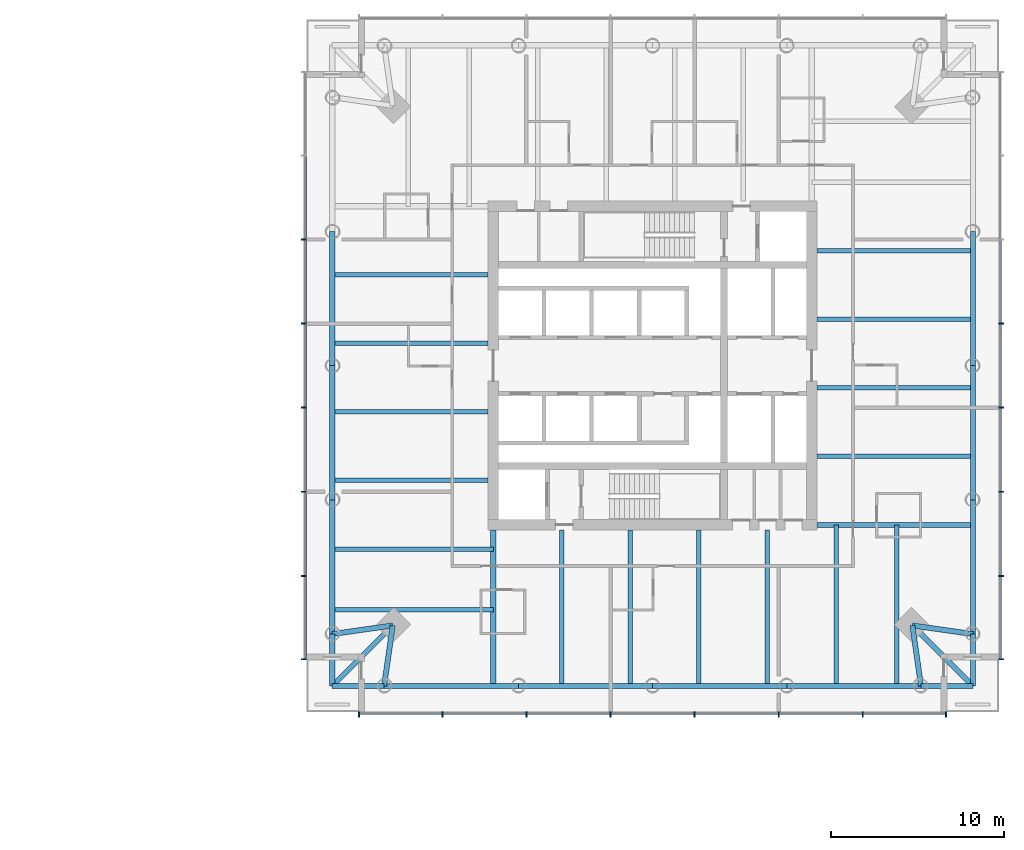
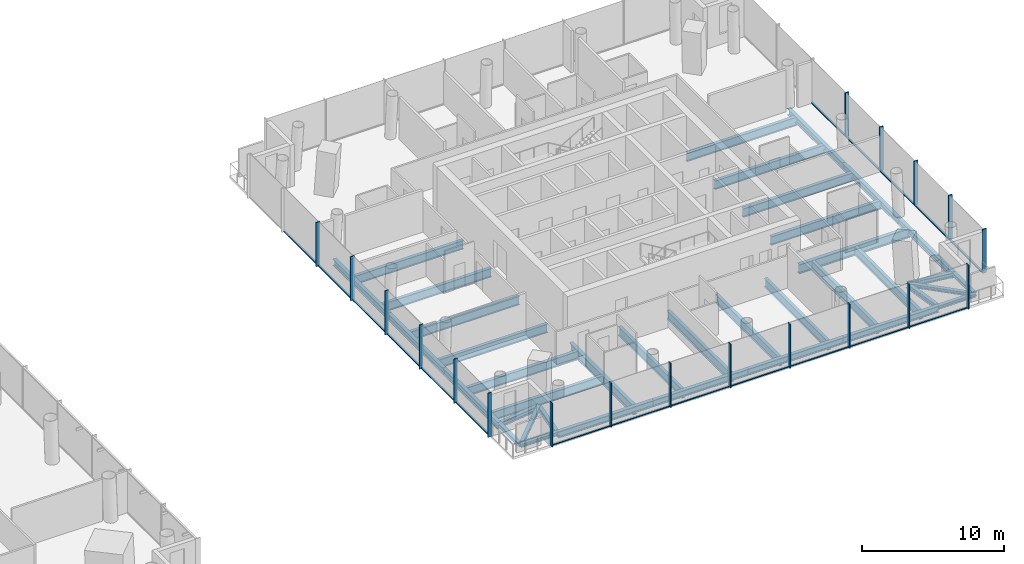
# One storey, part 6 of 21: 38 beams, 37 members, 3 elements without a shape of their own.
"""IFC4 building model written with IfcOpenShell, lengths in metres."""

from ifc_helpers import new_model, si_unit, direction, frame, origin, origin_2d, place, context, subcontext, project, spatial, rectangle, i_section, extrude, material, material_profile, profile_set, type_object, element, aggregate, save


model = new_model("IFC4")

# Units and contexts
model_context = context("Model", 3, precision=1e-05, world=origin(), true_north=direction((0.0, 1.0)))
body_context = subcontext(model_context, "Body", "Model", "MODEL_VIEW")
ifc_project = project(units=[si_unit("LENGTHUNIT", "METRE"), si_unit("AREAUNIT", "SQUARE_METRE"), si_unit("VOLUMEUNIT", "CUBIC_METRE"), si_unit("PLANEANGLEUNIT", "RADIAN"), si_unit("MASSUNIT", "GRAM", prefix="KILO")], contexts=[model_context])

# Site, building, storey
site_placement = place(None, origin())
site = spatial("IfcSite", under=ifc_project, at=site_placement, CompositionType="ELEMENT")
building_placement = place(site_placement, origin())
building = spatial("IfcBuilding", under=site, at=building_placement, Name="Ostroluk Exchange", CompositionType="ELEMENT")
storey_placement = place(building_placement, frame((0.0, 0.0, 32.39990234375)))
storey = spatial("IfcBuildingStorey", under=building, at=storey_placement, Name="L07", CompositionType="ELEMENT", Elevation=32.39990234375)

# Beams
ifc_material_1 = material(Name="Steel S355", Category="steel")
ifc_material_profile_1 = material_profile(ifc_material_1, i_section(OverallWidth=0.300048828125, OverallDepth=0.300048828125, WebThickness=0.010986328125, FlangeThickness=0.01904296875, FilletRadius=0.027099609375, at=origin_2d()), Name="HEB 300")
ifc_profile_set_1 = profile_set([ifc_material_profile_1], Name="Steel S355")
beam_type_1 = type_object("IfcBeamType", Name="Balcony beam HEB 300", PredefinedType="BEAM", material=ifc_profile_set_1)
for number, where, z_axis, x_axis, name in (
    (1, (98.491455078125, 30.491455078125, -0.349853515625), (0.0, -1.0, 0.0), (1.0, 0.0, 0.0), "T2 west balcony beam a"),
    (2, (101.491455078125, 27.491455078125, -0.349853515625), (-1.0, 0.0, 0.0), (0.0, -1.0, 0.0), "T2 west balcony beam b"),
):
    element("IfcBeam", number, at=place(storey_placement, frame(where, z_axis=z_axis, x_axis=x_axis)), inside=storey, type_object=beam_type_1, Name=name, PredefinedType="BEAM", context=body_context, shape_type="SweptSolid", body=[
        extrude(i_section(OverallWidth=0.300048828125, OverallDepth=0.300048828125, WebThickness=0.010986328125, FlangeThickness=0.01904296875, FilletRadius=0.027099609375, at=origin_2d()), origin(), (0.0, 0.0, 1.0), 3.0),
    ])
beam_1_placement = place(storey_placement, frame((101.991455078125, 30.991455078125, -0.349853515625), z_axis=(-0.707106781187, -0.707106781187, 0.0), x_axis=(0.707106781187, -0.707106781187, 0.0)))
element("IfcBeam", 3, at=beam_1_placement, inside=storey, type_object=beam_type_1, Name="T2 west balcony beam c", PredefinedType="BEAM", context=body_context, shape_type="SweptSolid", body=[
    extrude(i_section(OverallWidth=0.300048828125, OverallDepth=0.300048828125, WebThickness=0.010986328125, FlangeThickness=0.01904296875, FilletRadius=0.027099609375, at=origin_2d()), origin(), (0.0, 0.0, 1.0), 4.94970703125),
])
for number, where, z_axis, x_axis, name in (
    (4, (132.508544921875, 27.491455078125, -0.349853515625), (1.0, 0.0, 0.0), (0.0, 1.0, 0.0), "T2 south balcony beam a"),
    (5, (135.508544921875, 30.491455078125, -0.349853515625), (0.0, -1.0, 0.0), (1.0, 0.0, 0.0), "T2 south balcony beam b"),
):
    element("IfcBeam", number, at=place(storey_placement, frame(where, z_axis=z_axis, x_axis=x_axis)), inside=storey, type_object=beam_type_1, Name=name, PredefinedType="BEAM", context=body_context, shape_type="SweptSolid", body=[
        extrude(i_section(OverallWidth=0.300048828125, OverallDepth=0.300048828125, WebThickness=0.010986328125, FlangeThickness=0.01904296875, FilletRadius=0.027099609375, at=origin_2d()), origin(), (0.0, 0.0, 1.0), 3.0),
    ])
beam_2_placement = place(storey_placement, frame((132.008544921875, 30.991455078125, -0.349853515625), z_axis=(0.707106781187, -0.707106781187, 0.0), x_axis=(0.707106781187, 0.707106781187, 0.0)))
element("IfcBeam", 6, at=beam_2_placement, inside=storey, type_object=beam_type_1, Name="T2 south balcony beam c", PredefinedType="BEAM", context=body_context, shape_type="SweptSolid", body=[
    extrude(i_section(OverallWidth=0.300048828125, OverallDepth=0.300048828125, WebThickness=0.010986328125, FlangeThickness=0.01904296875, FilletRadius=0.027099609375, at=origin_2d()), origin(), (0.0, 0.0, 1.0), 4.94970703125),
])
ifc_material_2 = material(Name="Steel S355", Category="steel")
ifc_material_profile_2 = material_profile(ifc_material_2, i_section(OverallWidth=0.300048828125, OverallDepth=0.39990234375, WebThickness=0.013427734375, FlangeThickness=0.02392578125, FilletRadius=0.027099609375, at=origin_2d()), Name="HEB 400")
ifc_profile_set_2 = profile_set([ifc_material_profile_2], Name="Steel S355")
beam_type_2 = type_object("IfcBeamType", Name="Corner edge beam HEB 400", PredefinedType="SPANDREL", material=ifc_profile_set_2)
for number, where, z_axis, x_axis, name in (
    (7, (101.991455078125, 30.991455078125, -0.39990234375), (-0.989949493661, -0.141421356237, 0.0), (0.141421356237, -0.989949493661, 0.0), "T2 west corner edge beam a"),
    (8, (101.991455078125, 30.991455078125, -0.39990234375), (-0.141421356237, -0.989949493661, 0.0), (0.989949493661, -0.141421356237, 0.0), "T2 west corner edge beam b"),
    (9, (132.008544921875, 30.991455078125, -0.39990234375), (0.141421356237, -0.989949493661, 0.0), (0.989949493661, 0.141421356237, 0.0), "T2 south corner edge beam a"),
    (10, (132.008544921875, 30.991455078125, -0.39990234375), (0.989949493661, -0.141421356237, 0.0), (0.141421356237, 0.989949493661, 0.0), "T2 south corner edge beam b"),
):
    element("IfcBeam", number, at=place(storey_placement, frame(where, z_axis=z_axis, x_axis=x_axis)), inside=storey, type_object=beam_type_2, Name=name, PredefinedType="SPANDREL", context=body_context, shape_type="SweptSolid", body=[
        extrude(i_section(OverallWidth=0.300048828125, OverallDepth=0.39990234375, WebThickness=0.013427734375, FlangeThickness=0.02392578125, FilletRadius=0.027099609375, at=origin_2d()), origin(), (0.0, 0.0, 1.0), 3.53564453125),
    ])
ifc_material_3 = material(Name="Steel S355", Category="steel")
ifc_material_profile_3 = material_profile(ifc_material_3, i_section(OverallWidth=0.264892578125, OverallDepth=0.7529296875, WebThickness=0.01318359375, FlangeThickness=0.01708984375, FilletRadius=0.01708984375, at=origin_2d()), Name="IPE 750x147")
ifc_profile_set_3 = profile_set([ifc_material_profile_3], Name="Steel S355")
beam_type_3 = type_object("IfcBeamType", Name="Floor beam IPE 750x147", PredefinedType="BEAM", material=ifc_profile_set_3)
for number, where, z_axis, x_axis, name in (
    (11, (126.5, 40.75830078125, -0.576416015625), (1.0, 0.0, 0.0), (0.0, 1.0, 0.0), "T2 east floor beam 1"),
    (12, (126.5, 44.716796875, -0.576416015625), (1.0, 0.0, 0.0), (0.0, 1.0, 0.0), "T2 east floor beam 2"),
    (13, (126.5, 48.675048828125, -0.576416015625), (1.0, 0.0, 0.0), (0.0, 1.0, 0.0), "T2 east floor beam 3"),
    (14, (126.5, 52.633544921875, -0.576416015625), (1.0, 0.0, 0.0), (0.0, 1.0, 0.0), "T2 east floor beam 4"),
    (15, (107.5, 51.24169921875, -0.576416015625), (-1.0, 0.0, 0.0), (0.0, -1.0, 0.0), "T2 west floor beam 1"),
    (16, (107.5, 47.283203125, -0.576416015625), (-1.0, 0.0, 0.0), (0.0, -1.0, 0.0), "T2 west floor beam 2"),
    (17, (107.5, 43.324951171875, -0.576416015625), (-1.0, 0.0, 0.0), (0.0, -1.0, 0.0), "T2 west floor beam 3"),
    (18, (107.5, 39.366455078125, -0.576416015625), (-1.0, 0.0, 0.0), (0.0, -1.0, 0.0), "T2 west floor beam 4"),
):
    element("IfcBeam", number, at=place(storey_placement, frame(where, z_axis=z_axis, x_axis=x_axis)), inside=storey, type_object=beam_type_3, Name=name, PredefinedType="BEAM", context=body_context, shape_type="SweptSolid", body=[
        extrude(i_section(OverallWidth=0.264892578125, OverallDepth=0.7529296875, WebThickness=0.01318359375, FlangeThickness=0.01708984375, FilletRadius=0.01708984375, at=origin_2d()), origin(), (0.0, 0.0, 1.0), 9.008544921875),
    ])
for number, where, z_axis, x_axis, name in (
    (19, (107.800048828125, 35.39990234375, -0.576416015625), (-1.0, 0.0, 0.0), (0.0, -1.0, 0.0), "T2 west floor beam 5"),
    (20, (107.800048828125, 31.891357421875, -0.576416015625), (-1.0, 0.0, 0.0), (0.0, -1.0, 0.0), "T2 west floor beam 6"),
):
    element("IfcBeam", number, at=place(storey_placement, frame(where, z_axis=z_axis, x_axis=x_axis)), inside=storey, type_object=beam_type_3, Name=name, PredefinedType="BEAM", context=body_context, shape_type="SweptSolid", body=[
        extrude(i_section(OverallWidth=0.264892578125, OverallDepth=0.7529296875, WebThickness=0.01318359375, FlangeThickness=0.01708984375, FilletRadius=0.01708984375, at=origin_2d()), origin(), (0.0, 0.0, 1.0), 9.30859375),
    ])
for number, where, z_axis, x_axis, name in (
    (21, (111.75830078125, 36.5, -0.576416015625), (0.0, -1.0, 0.0), (1.0, 0.0, 0.0), "T2 south floor beam 1"),
    (22, (115.716796875, 36.5, -0.576416015625), (0.0, -1.0, 0.0), (1.0, 0.0, 0.0), "T2 south floor beam 2"),
    (23, (119.675048828125, 36.5, -0.576416015625), (0.0, -1.0, 0.0), (1.0, 0.0, 0.0), "T2 south floor beam 3"),
    (24, (123.633544921875, 36.5, -0.576416015625), (0.0, -1.0, 0.0), (1.0, 0.0, 0.0), "T2 south floor beam 4"),
):
    element("IfcBeam", number, at=place(storey_placement, frame(where, z_axis=z_axis, x_axis=x_axis)), inside=storey, type_object=beam_type_3, Name=name, PredefinedType="BEAM", context=body_context, shape_type="SweptSolid", body=[
        extrude(i_section(OverallWidth=0.264892578125, OverallDepth=0.7529296875, WebThickness=0.01318359375, FlangeThickness=0.01708984375, FilletRadius=0.01708984375, at=origin_2d()), origin(), (0.0, 0.0, 1.0), 9.008544921875),
    ])
for number, where, z_axis, x_axis, name in (
    (25, (127.60009765625, 36.800048828125, -0.576416015625), (0.0, -1.0, 0.0), (1.0, 0.0, 0.0), "T2 south floor beam 5"),
    (26, (131.108642578125, 36.800048828125, -0.576416015625), (0.0, -1.0, 0.0), (1.0, 0.0, 0.0), "T2 south floor beam 6"),
):
    element("IfcBeam", number, at=place(storey_placement, frame(where, z_axis=z_axis, x_axis=x_axis)), inside=storey, type_object=beam_type_3, Name=name, PredefinedType="BEAM", context=body_context, shape_type="SweptSolid", body=[
        extrude(i_section(OverallWidth=0.264892578125, OverallDepth=0.7529296875, WebThickness=0.01318359375, FlangeThickness=0.01708984375, FilletRadius=0.01708984375, at=origin_2d()), origin(), (0.0, 0.0, 1.0), 9.30859375),
    ])
ifc_material_4 = material(Name="Steel S355", Category="steel")
ifc_material_profile_4 = material_profile(ifc_material_4, i_section(OverallWidth=0.300048828125, OverallDepth=0.800048828125, WebThickness=0.017578125, FlangeThickness=0.032958984375, FilletRadius=0.030029296875, at=origin_2d()), Name="HEB 800")
ifc_profile_set_4 = profile_set([ifc_material_profile_4], Name="Steel S355")
beam_type_4 = type_object("IfcBeamType", Name="Girder HEB 800", PredefinedType="BEAM", material=ifc_profile_set_4)
for number, where, z_axis, x_axis, name in (
    (27, (107.800048828125, 36.5, -0.599853515625), (0.0, -1.0, 0.0), (1.0, 0.0, 0.0), "T2 west girder"),
    (28, (126.5, 36.800048828125, -0.599853515625), (1.0, 0.0, 0.0), (0.0, 1.0, 0.0), "T2 south girder"),
):
    element("IfcBeam", number, at=place(storey_placement, frame(where, z_axis=z_axis, x_axis=x_axis)), inside=storey, type_object=beam_type_4, Name=name, PredefinedType="BEAM", context=body_context, shape_type="SweptSolid", body=[
        extrude(i_section(OverallWidth=0.300048828125, OverallDepth=0.800048828125, WebThickness=0.017578125, FlangeThickness=0.032958984375, FilletRadius=0.030029296875, at=origin_2d()), origin(), (0.0, 0.0, 1.0), 9.008544921875),
    ])
ifc_material_5 = material(Name="Steel S355", Category="steel")
ifc_material_profile_5 = material_profile(ifc_material_5, i_section(OverallWidth=0.300048828125, OverallDepth=0.550048828125, WebThickness=0.014892578125, FlangeThickness=0.029052734375, FilletRadius=0.027099609375, at=origin_2d()), Name="HEB 550")
ifc_profile_set_5 = profile_set([ifc_material_profile_5], Name="Steel S355")
beam_type_5 = type_object("IfcBeamType", Name="Moment-connected edge beam HEB 550", PredefinedType="SPANDREL", material=ifc_profile_set_5)
beam_3_placement = place(storey_placement, frame((135.508544921875, 30.491455078125, -0.474853515625), z_axis=(0.0, 1.0, 0.0), x_axis=(-1.0, 0.0, 0.0)))
element("IfcBeam", 29, at=beam_3_placement, inside=storey, type_object=beam_type_5, Name="T2 east edge beam 1", PredefinedType="SPANDREL", context=body_context, shape_type="SweptSolid", body=[
    extrude(i_section(OverallWidth=0.300048828125, OverallDepth=0.550048828125, WebThickness=0.014892578125, FlangeThickness=0.029052734375, FilletRadius=0.027099609375, at=origin_2d()), origin(), (0.0, 0.0, 1.0), 7.754150390625),
])
for number, where, z_axis, x_axis, name in (
    (30, (135.508544921875, 38.24560546875, -0.474853515625), (0.0, 1.0, 0.0), (-1.0, 0.0, 0.0), "T2 east edge beam 2"),
    (31, (135.508544921875, 46.0, -0.474853515625), (0.0, 1.0, 0.0), (-1.0, 0.0, 0.0), "T2 east edge beam 3"),
    (32, (98.491455078125, 53.75439453125, -0.474853515625), (0.0, -1.0, 0.0), (1.0, 0.0, 0.0), "T2 west edge beam 2"),
    (33, (98.491455078125, 46.0, -0.474853515625), (0.0, -1.0, 0.0), (1.0, 0.0, 0.0), "T2 west edge beam 3"),
):
    element("IfcBeam", number, at=place(storey_placement, frame(where, z_axis=z_axis, x_axis=x_axis)), inside=storey, type_object=beam_type_5, Name=name, PredefinedType="SPANDREL", context=body_context, shape_type="SweptSolid", body=[
        extrude(i_section(OverallWidth=0.300048828125, OverallDepth=0.550048828125, WebThickness=0.014892578125, FlangeThickness=0.029052734375, FilletRadius=0.027099609375, at=origin_2d()), origin(), (0.0, 0.0, 1.0), 7.75439453125),
    ])
for number, where, z_axis, x_axis, name in (
    (34, (98.491455078125, 38.24560546875, -0.474853515625), (0.0, -1.0, 0.0), (1.0, 0.0, 0.0), "T2 west edge beam 4"),
    (35, (101.491455078125, 27.491455078125, -0.474853515625), (1.0, 0.0, 0.0), (0.0, 1.0, 0.0), "T2 south edge beam 1"),
):
    element("IfcBeam", number, at=place(storey_placement, frame(where, z_axis=z_axis, x_axis=x_axis)), inside=storey, type_object=beam_type_5, Name=name, PredefinedType="SPANDREL", context=body_context, shape_type="SweptSolid", body=[
        extrude(i_section(OverallWidth=0.300048828125, OverallDepth=0.550048828125, WebThickness=0.014892578125, FlangeThickness=0.029052734375, FilletRadius=0.027099609375, at=origin_2d()), origin(), (0.0, 0.0, 1.0), 7.754150390625),
    ])
for number, where, z_axis, x_axis, name in (
    (36, (109.24560546875, 27.491455078125, -0.474853515625), (1.0, 0.0, 0.0), (0.0, 1.0, 0.0), "T2 south edge beam 2"),
    (37, (117.0, 27.491455078125, -0.474853515625), (1.0, 0.0, 0.0), (0.0, 1.0, 0.0), "T2 south edge beam 3"),
):
    element("IfcBeam", number, at=place(storey_placement, frame(where, z_axis=z_axis, x_axis=x_axis)), inside=storey, type_object=beam_type_5, Name=name, PredefinedType="SPANDREL", context=body_context, shape_type="SweptSolid", body=[
        extrude(i_section(OverallWidth=0.300048828125, OverallDepth=0.550048828125, WebThickness=0.014892578125, FlangeThickness=0.029052734375, FilletRadius=0.027099609375, at=origin_2d()), origin(), (0.0, 0.0, 1.0), 7.75439453125),
    ])
beam_4_placement = place(storey_placement, frame((124.75439453125, 27.491455078125, -0.474853515625), z_axis=(1.0, 0.0, 0.0), x_axis=(0.0, 1.0, 0.0)))
element("IfcBeam", 38, at=beam_4_placement, inside=storey, type_object=beam_type_5, Name="T2 south edge beam 4", PredefinedType="SPANDREL", context=body_context, shape_type="SweptSolid", body=[
    extrude(i_section(OverallWidth=0.300048828125, OverallDepth=0.550048828125, WebThickness=0.014892578125, FlangeThickness=0.029052734375, FilletRadius=0.027099609375, at=origin_2d()), origin(), (0.0, 0.0, 1.0), 7.754150390625),
])

# Curtain wall, members
ifc_material_6 = material(Name="Laminated clear glass", Category="glass")
curtain_wall_type = type_object("IfcCurtainWallType", Name="Hotel guest floor facade", PredefinedType="USERDEFINED", material=ifc_material_6)
curtain_wall_1_placement = place(storey_placement, origin())
curtain_wall_1 = element("IfcCurtainWall", 39, at=curtain_wall_1_placement, inside=storey, type_object=curtain_wall_type, Name="Hotel tower south facade L07", ObjectType="UNITISED CURTAIN WALL", PredefinedType="USERDEFINED")
ifc_material_7 = material(Name="Aluminium mullion", Category="aluminium")
ifc_material_profile_6 = material_profile(ifc_material_7, rectangle(XDim=0.14990234375, YDim=0.080078125, at=origin_2d()), Name="Sill transom 80 x 150")
ifc_profile_set_6 = profile_set([ifc_material_profile_6], Name="Aluminium mullion")
member_type_1 = type_object("IfcMemberType", Name="Sill transom 80 x 150", PredefinedType="USERDEFINED", material=ifc_profile_set_6)
member_1_placement = place(storey_placement, frame((100.080078125, 25.925048828125, 0.0400390625), z_axis=(1.0, 0.0, 0.0), x_axis=(0.0, 1.0, 0.0)))
member_1 = element("IfcMember", 40, at=member_1_placement, type_object=member_type_1, Name="CW-H1 transom 1.1", ObjectType="TRANSOM", PredefinedType="USERDEFINED", context=body_context, shape_type="SweptSolid", body=[
    extrude(rectangle(XDim=0.14990234375, YDim=0.080078125, at=origin_2d()), origin(), (0.0, 0.0, 1.0), 4.737060546875),
])
member_2_placement = place(storey_placement, frame((104.897216796875, 25.925048828125, 0.0400390625), z_axis=(1.0, 0.0, 0.0), x_axis=(0.0, 1.0, 0.0)))
member_2 = element("IfcMember", 41, at=member_2_placement, type_object=member_type_1, Name="CW-H1 transom 2.1", ObjectType="TRANSOM", PredefinedType="USERDEFINED", context=body_context, shape_type="SweptSolid", body=[
    extrude(rectangle(XDim=0.14990234375, YDim=0.080078125, at=origin_2d()), origin(), (0.0, 0.0, 1.0), 4.777099609375),
])
member_3_placement = place(storey_placement, frame((109.75439453125, 25.925048828125, 0.0400390625), z_axis=(1.0, 0.0, 0.0), x_axis=(0.0, 1.0, 0.0)))
member_3 = element("IfcMember", 42, at=member_3_placement, type_object=member_type_1, Name="CW-H1 transom 3.1", ObjectType="TRANSOM", PredefinedType="USERDEFINED", context=body_context, shape_type="SweptSolid", body=[
    extrude(rectangle(XDim=0.14990234375, YDim=0.080078125, at=origin_2d()), origin(), (0.0, 0.0, 1.0), 4.777099609375),
])
member_4_placement = place(storey_placement, frame((114.611328125, 25.925048828125, 0.0400390625), z_axis=(1.0, 0.0, 0.0), x_axis=(0.0, 1.0, 0.0)))
member_4 = element("IfcMember", 43, at=member_4_placement, type_object=member_type_1, Name="CW-H1 transom 4.1", ObjectType="TRANSOM", PredefinedType="USERDEFINED", context=body_context, shape_type="SweptSolid", body=[
    extrude(rectangle(XDim=0.14990234375, YDim=0.080078125, at=origin_2d()), origin(), (0.0, 0.0, 1.0), 4.77734375),
])
member_5_placement = place(storey_placement, frame((119.468505859375, 25.925048828125, 0.0400390625), z_axis=(1.0, 0.0, 0.0), x_axis=(0.0, 1.0, 0.0)))
member_5 = element("IfcMember", 44, at=member_5_placement, type_object=member_type_1, Name="CW-H1 transom 5.1", ObjectType="TRANSOM", PredefinedType="USERDEFINED", context=body_context, shape_type="SweptSolid", body=[
    extrude(rectangle(XDim=0.14990234375, YDim=0.080078125, at=origin_2d()), origin(), (0.0, 0.0, 1.0), 4.777099609375),
])
member_6_placement = place(storey_placement, frame((124.32568359375, 25.925048828125, 0.0400390625), z_axis=(1.0, 0.0, 0.0), x_axis=(0.0, 1.0, 0.0)))
member_6 = element("IfcMember", 45, at=member_6_placement, type_object=member_type_1, Name="CW-H1 transom 6.1", ObjectType="TRANSOM", PredefinedType="USERDEFINED", context=body_context, shape_type="SweptSolid", body=[
    extrude(rectangle(XDim=0.14990234375, YDim=0.080078125, at=origin_2d()), origin(), (0.0, 0.0, 1.0), 4.777099609375),
])
member_7_placement = place(storey_placement, frame((129.182861328125, 25.925048828125, 0.0400390625), z_axis=(1.0, 0.0, 0.0), x_axis=(0.0, 1.0, 0.0)))
member_7 = element("IfcMember", 46, at=member_7_placement, type_object=member_type_1, Name="CW-H1 transom 7.1", ObjectType="TRANSOM", PredefinedType="USERDEFINED", context=body_context, shape_type="SweptSolid", body=[
    extrude(rectangle(XDim=0.14990234375, YDim=0.080078125, at=origin_2d()), origin(), (0.0, 0.0, 1.0), 4.737060546875),
])

curtain_wall_2_placement = place(storey_placement, origin())
curtain_wall_2 = element("IfcCurtainWall", 47, at=curtain_wall_2_placement, inside=storey, type_object=curtain_wall_type, Name="Hotel tower east facade L07", ObjectType="UNITISED CURTAIN WALL", PredefinedType="USERDEFINED")
member_8_placement = place(storey_placement, frame((137.074951171875, 29.080078125, 0.0400390625), z_axis=(0.0, 1.0, 0.0), x_axis=(-1.0, 0.0, 0.0)))
member_8 = element("IfcMember", 48, at=member_8_placement, type_object=member_type_1, Name="CW-H1 transom 1.1", ObjectType="TRANSOM", PredefinedType="USERDEFINED", context=body_context, shape_type="SweptSolid", body=[
    extrude(rectangle(XDim=0.14990234375, YDim=0.080078125, at=origin_2d()), origin(), (0.0, 0.0, 1.0), 4.737060546875),
])
member_9_placement = place(storey_placement, frame((137.074951171875, 33.897216796875, 0.0400390625), z_axis=(0.0, 1.0, 0.0), x_axis=(-1.0, 0.0, 0.0)))
member_9 = element("IfcMember", 49, at=member_9_placement, type_object=member_type_1, Name="CW-H1 transom 2.1", ObjectType="TRANSOM", PredefinedType="USERDEFINED", context=body_context, shape_type="SweptSolid", body=[
    extrude(rectangle(XDim=0.14990234375, YDim=0.080078125, at=origin_2d()), origin(), (0.0, 0.0, 1.0), 4.777099609375),
])
member_10_placement = place(storey_placement, frame((137.074951171875, 38.75439453125, 0.0400390625), z_axis=(0.0, 1.0, 0.0), x_axis=(-1.0, 0.0, 0.0)))
member_10 = element("IfcMember", 50, at=member_10_placement, type_object=member_type_1, Name="CW-H1 transom 3.1", ObjectType="TRANSOM", PredefinedType="USERDEFINED", context=body_context, shape_type="SweptSolid", body=[
    extrude(rectangle(XDim=0.14990234375, YDim=0.080078125, at=origin_2d()), origin(), (0.0, 0.0, 1.0), 4.777099609375),
])
member_11_placement = place(storey_placement, frame((137.074951171875, 43.611328125, 0.0400390625), z_axis=(0.0, 1.0, 0.0), x_axis=(-1.0, 0.0, 0.0)))
member_11 = element("IfcMember", 51, at=member_11_placement, type_object=member_type_1, Name="CW-H1 transom 4.1", ObjectType="TRANSOM", PredefinedType="USERDEFINED", context=body_context, shape_type="SweptSolid", body=[
    extrude(rectangle(XDim=0.14990234375, YDim=0.080078125, at=origin_2d()), origin(), (0.0, 0.0, 1.0), 4.77734375),
])
member_12_placement = place(storey_placement, frame((137.074951171875, 48.468505859375, 0.0400390625), z_axis=(0.0, 1.0, 0.0), x_axis=(-1.0, 0.0, 0.0)))
member_12 = element("IfcMember", 52, at=member_12_placement, type_object=member_type_1, Name="CW-H1 transom 5.1", ObjectType="TRANSOM", PredefinedType="USERDEFINED", context=body_context, shape_type="SweptSolid", body=[
    extrude(rectangle(XDim=0.14990234375, YDim=0.080078125, at=origin_2d()), origin(), (0.0, 0.0, 1.0), 4.777099609375),
])

curtain_wall_3_placement = place(storey_placement, origin())
curtain_wall_3 = element("IfcCurtainWall", 53, at=curtain_wall_3_placement, inside=storey, type_object=curtain_wall_type, Name="Hotel tower west facade L07", ObjectType="UNITISED CURTAIN WALL", PredefinedType="USERDEFINED")
member_13_placement = place(storey_placement, frame((96.925048828125, 58.102783203125, 0.0400390625), z_axis=(0.0, -1.0, 0.0), x_axis=(1.0, 0.0, 0.0)))
member_13 = element("IfcMember", 54, at=member_13_placement, type_object=member_type_1, Name="CW-H1 transom 2.1", ObjectType="TRANSOM", PredefinedType="USERDEFINED", context=body_context, shape_type="SweptSolid", body=[
    extrude(rectangle(XDim=0.14990234375, YDim=0.080078125, at=origin_2d()), origin(), (0.0, 0.0, 1.0), 4.777099609375),
])
member_14_placement = place(storey_placement, frame((96.925048828125, 53.24560546875, 0.0400390625), z_axis=(0.0, -1.0, 0.0), x_axis=(1.0, 0.0, 0.0)))
member_14 = element("IfcMember", 55, at=member_14_placement, type_object=member_type_1, Name="CW-H1 transom 3.1", ObjectType="TRANSOM", PredefinedType="USERDEFINED", context=body_context, shape_type="SweptSolid", body=[
    extrude(rectangle(XDim=0.14990234375, YDim=0.080078125, at=origin_2d()), origin(), (0.0, 0.0, 1.0), 4.777099609375),
])
member_15_placement = place(storey_placement, frame((96.925048828125, 48.388671875, 0.0400390625), z_axis=(0.0, -1.0, 0.0), x_axis=(1.0, 0.0, 0.0)))
member_15 = element("IfcMember", 56, at=member_15_placement, type_object=member_type_1, Name="CW-H1 transom 4.1", ObjectType="TRANSOM", PredefinedType="USERDEFINED", context=body_context, shape_type="SweptSolid", body=[
    extrude(rectangle(XDim=0.14990234375, YDim=0.080078125, at=origin_2d()), origin(), (0.0, 0.0, 1.0), 4.77734375),
])
member_16_placement = place(storey_placement, frame((96.925048828125, 43.531494140625, 0.0400390625), z_axis=(0.0, -1.0, 0.0), x_axis=(1.0, 0.0, 0.0)))
member_16 = element("IfcMember", 57, at=member_16_placement, type_object=member_type_1, Name="CW-H1 transom 5.1", ObjectType="TRANSOM", PredefinedType="USERDEFINED", context=body_context, shape_type="SweptSolid", body=[
    extrude(rectangle(XDim=0.14990234375, YDim=0.080078125, at=origin_2d()), origin(), (0.0, 0.0, 1.0), 4.777099609375),
])
member_17_placement = place(storey_placement, frame((96.925048828125, 38.67431640625, 0.0400390625), z_axis=(0.0, -1.0, 0.0), x_axis=(1.0, 0.0, 0.0)))
member_17 = element("IfcMember", 58, at=member_17_placement, type_object=member_type_1, Name="CW-H1 transom 6.1", ObjectType="TRANSOM", PredefinedType="USERDEFINED", context=body_context, shape_type="SweptSolid", body=[
    extrude(rectangle(XDim=0.14990234375, YDim=0.080078125, at=origin_2d()), origin(), (0.0, 0.0, 1.0), 4.777099609375),
])
member_18_placement = place(storey_placement, frame((96.925048828125, 33.817138671875, 0.0400390625), z_axis=(0.0, -1.0, 0.0), x_axis=(1.0, 0.0, 0.0)))
member_18 = element("IfcMember", 59, at=member_18_placement, type_object=member_type_1, Name="CW-H1 transom 7.1", ObjectType="TRANSOM", PredefinedType="USERDEFINED", context=body_context, shape_type="SweptSolid", body=[
    extrude(rectangle(XDim=0.14990234375, YDim=0.080078125, at=origin_2d()), origin(), (0.0, 0.0, 1.0), 4.737060546875),
])

# Member
ifc_material_8 = material(Name="Aluminium mullion with limestone facing", Category="masonry")
ifc_material_profile_7 = material_profile(ifc_material_8, rectangle(XDim=0.300048828125, YDim=0.080078125, at=origin_2d()), Name="Tracery mullion 80 x 300")
ifc_profile_set_7 = profile_set([ifc_material_profile_7], Name="Aluminium mullion with limestone facing")
member_type_2 = type_object("IfcMemberType", Name="Tracery mullion 80 x 300", PredefinedType="MULLION", material=ifc_profile_set_7)
member_19_placement = place(storey_placement, frame((100.0400390625, 25.85009765625, 0.0), z_axis=(0.0, 0.0, 1.0), x_axis=(0.0, 1.0, 0.0)))
member_19 = element("IfcMember", 60, at=member_19_placement, type_object=member_type_2, Name="CW-H1 mullion 1", PredefinedType="MULLION", context=body_context, shape_type="SweptSolid", body=[
    extrude(rectangle(XDim=0.300048828125, YDim=0.080078125, at=origin_2d()), origin(), (0.0, 0.0, 1.0), 3.800048828125),
])

member_20_placement = place(storey_placement, frame((104.857177734375, 25.85009765625, 0.0), z_axis=(0.0, 0.0, 1.0), x_axis=(0.0, 1.0, 0.0)))
member_20 = element("IfcMember", 61, at=member_20_placement, type_object=member_type_2, Name="CW-H1 mullion 2", PredefinedType="MULLION", context=body_context, shape_type="SweptSolid", body=[
    extrude(rectangle(XDim=0.300048828125, YDim=0.080078125, at=origin_2d()), origin(), (0.0, 0.0, 1.0), 3.800048828125),
])

member_21_placement = place(storey_placement, frame((109.71435546875, 25.85009765625, 0.0), z_axis=(0.0, 0.0, 1.0), x_axis=(0.0, 1.0, 0.0)))
member_21 = element("IfcMember", 62, at=member_21_placement, type_object=member_type_2, Name="CW-H1 mullion 3", PredefinedType="MULLION", context=body_context, shape_type="SweptSolid", body=[
    extrude(rectangle(XDim=0.300048828125, YDim=0.080078125, at=origin_2d()), origin(), (0.0, 0.0, 1.0), 3.800048828125),
])

member_22_placement = place(storey_placement, frame((114.571533203125, 25.85009765625, 0.0), z_axis=(0.0, 0.0, 1.0), x_axis=(0.0, 1.0, 0.0)))
member_22 = element("IfcMember", 63, at=member_22_placement, type_object=member_type_2, Name="CW-H1 mullion 4", PredefinedType="MULLION", context=body_context, shape_type="SweptSolid", body=[
    extrude(rectangle(XDim=0.300048828125, YDim=0.080078125, at=origin_2d()), origin(), (0.0, 0.0, 1.0), 3.800048828125),
])

member_23_placement = place(storey_placement, frame((119.428466796875, 25.85009765625, 0.0), z_axis=(0.0, 0.0, 1.0), x_axis=(0.0, 1.0, 0.0)))
member_23 = element("IfcMember", 64, at=member_23_placement, type_object=member_type_2, Name="CW-H1 mullion 5", PredefinedType="MULLION", context=body_context, shape_type="SweptSolid", body=[
    extrude(rectangle(XDim=0.300048828125, YDim=0.080078125, at=origin_2d()), origin(), (0.0, 0.0, 1.0), 3.800048828125),
])

member_24_placement = place(storey_placement, frame((124.28564453125, 25.85009765625, 0.0), z_axis=(0.0, 0.0, 1.0), x_axis=(0.0, 1.0, 0.0)))
member_24 = element("IfcMember", 65, at=member_24_placement, type_object=member_type_2, Name="CW-H1 mullion 6", PredefinedType="MULLION", context=body_context, shape_type="SweptSolid", body=[
    extrude(rectangle(XDim=0.300048828125, YDim=0.080078125, at=origin_2d()), origin(), (0.0, 0.0, 1.0), 3.800048828125),
])

member_25_placement = place(storey_placement, frame((129.142822265625, 25.85009765625, 0.0), z_axis=(0.0, 0.0, 1.0), x_axis=(0.0, 1.0, 0.0)))
member_25 = element("IfcMember", 66, at=member_25_placement, type_object=member_type_2, Name="CW-H1 mullion 7", PredefinedType="MULLION", context=body_context, shape_type="SweptSolid", body=[
    extrude(rectangle(XDim=0.300048828125, YDim=0.080078125, at=origin_2d()), origin(), (0.0, 0.0, 1.0), 3.800048828125),
])

member_26_placement = place(storey_placement, frame((133.9599609375, 25.85009765625, 0.0), z_axis=(0.0, 0.0, 1.0), x_axis=(0.0, 1.0, 0.0)))
member_26 = element("IfcMember", 67, at=member_26_placement, type_object=member_type_2, Name="CW-H1 mullion 8", PredefinedType="MULLION", context=body_context, shape_type="SweptSolid", body=[
    extrude(rectangle(XDim=0.300048828125, YDim=0.080078125, at=origin_2d()), origin(), (0.0, 0.0, 1.0), 3.800048828125),
])

aggregate(curtain_wall_1, [member_19, member_20, member_21, member_22, member_23, member_24, member_25, member_26, member_1, member_2, member_3, member_4, member_5, member_6, member_7])

member_27_placement = place(storey_placement, frame((137.14990234375, 29.0400390625, 0.0), z_axis=(0.0, 0.0, 1.0), x_axis=(-1.0, 0.0, 0.0)))
member_27 = element("IfcMember", 68, at=member_27_placement, type_object=member_type_2, Name="CW-H1 mullion 1", PredefinedType="MULLION", context=body_context, shape_type="SweptSolid", body=[
    extrude(rectangle(XDim=0.300048828125, YDim=0.080078125, at=origin_2d()), origin(), (0.0, 0.0, 1.0), 3.800048828125),
])

member_28_placement = place(storey_placement, frame((137.14990234375, 33.857177734375, 0.0), z_axis=(0.0, 0.0, 1.0), x_axis=(-1.0, 0.0, 0.0)))
member_28 = element("IfcMember", 69, at=member_28_placement, type_object=member_type_2, Name="CW-H1 mullion 2", PredefinedType="MULLION", context=body_context, shape_type="SweptSolid", body=[
    extrude(rectangle(XDim=0.300048828125, YDim=0.080078125, at=origin_2d()), origin(), (0.0, 0.0, 1.0), 3.800048828125),
])

member_29_placement = place(storey_placement, frame((137.14990234375, 38.71435546875, 0.0), z_axis=(0.0, 0.0, 1.0), x_axis=(-1.0, 0.0, 0.0)))
member_29 = element("IfcMember", 70, at=member_29_placement, type_object=member_type_2, Name="CW-H1 mullion 3", PredefinedType="MULLION", context=body_context, shape_type="SweptSolid", body=[
    extrude(rectangle(XDim=0.300048828125, YDim=0.080078125, at=origin_2d()), origin(), (0.0, 0.0, 1.0), 3.800048828125),
])

member_30_placement = place(storey_placement, frame((137.14990234375, 43.571533203125, 0.0), z_axis=(0.0, 0.0, 1.0), x_axis=(-1.0, 0.0, 0.0)))
member_30 = element("IfcMember", 71, at=member_30_placement, type_object=member_type_2, Name="CW-H1 mullion 4", PredefinedType="MULLION", context=body_context, shape_type="SweptSolid", body=[
    extrude(rectangle(XDim=0.300048828125, YDim=0.080078125, at=origin_2d()), origin(), (0.0, 0.0, 1.0), 3.800048828125),
])

member_31_placement = place(storey_placement, frame((137.14990234375, 48.428466796875, 0.0), z_axis=(0.0, 0.0, 1.0), x_axis=(-1.0, 0.0, 0.0)))
member_31 = element("IfcMember", 72, at=member_31_placement, type_object=member_type_2, Name="CW-H1 mullion 5", PredefinedType="MULLION", context=body_context, shape_type="SweptSolid", body=[
    extrude(rectangle(XDim=0.300048828125, YDim=0.080078125, at=origin_2d()), origin(), (0.0, 0.0, 1.0), 3.800048828125),
])

aggregate(curtain_wall_2, [member_27, member_28, member_29, member_30, member_31, member_8, member_9, member_10, member_11, member_12])

member_32_placement = place(storey_placement, frame((96.85009765625, 53.28564453125, 0.0), z_axis=(0.0, 0.0, 1.0), x_axis=(1.0, 0.0, 0.0)))
member_32 = element("IfcMember", 73, at=member_32_placement, type_object=member_type_2, Name="CW-H1 mullion 3", PredefinedType="MULLION", context=body_context, shape_type="SweptSolid", body=[
    extrude(rectangle(XDim=0.300048828125, YDim=0.080078125, at=origin_2d()), origin(), (0.0, 0.0, 1.0), 3.800048828125),
])

member_33_placement = place(storey_placement, frame((96.85009765625, 48.428466796875, 0.0), z_axis=(0.0, 0.0, 1.0), x_axis=(1.0, 0.0, 0.0)))
member_33 = element("IfcMember", 74, at=member_33_placement, type_object=member_type_2, Name="CW-H1 mullion 4", PredefinedType="MULLION", context=body_context, shape_type="SweptSolid", body=[
    extrude(rectangle(XDim=0.300048828125, YDim=0.080078125, at=origin_2d()), origin(), (0.0, 0.0, 1.0), 3.800048828125),
])

member_34_placement = place(storey_placement, frame((96.85009765625, 43.571533203125, 0.0), z_axis=(0.0, 0.0, 1.0), x_axis=(1.0, 0.0, 0.0)))
member_34 = element("IfcMember", 75, at=member_34_placement, type_object=member_type_2, Name="CW-H1 mullion 5", PredefinedType="MULLION", context=body_context, shape_type="SweptSolid", body=[
    extrude(rectangle(XDim=0.300048828125, YDim=0.080078125, at=origin_2d()), origin(), (0.0, 0.0, 1.0), 3.800048828125),
])

member_35_placement = place(storey_placement, frame((96.85009765625, 38.71435546875, 0.0), z_axis=(0.0, 0.0, 1.0), x_axis=(1.0, 0.0, 0.0)))
member_35 = element("IfcMember", 76, at=member_35_placement, type_object=member_type_2, Name="CW-H1 mullion 6", PredefinedType="MULLION", context=body_context, shape_type="SweptSolid", body=[
    extrude(rectangle(XDim=0.300048828125, YDim=0.080078125, at=origin_2d()), origin(), (0.0, 0.0, 1.0), 3.800048828125),
])

member_36_placement = place(storey_placement, frame((96.85009765625, 33.857177734375, 0.0), z_axis=(0.0, 0.0, 1.0), x_axis=(1.0, 0.0, 0.0)))
member_36 = element("IfcMember", 77, at=member_36_placement, type_object=member_type_2, Name="CW-H1 mullion 7", PredefinedType="MULLION", context=body_context, shape_type="SweptSolid", body=[
    extrude(rectangle(XDim=0.300048828125, YDim=0.080078125, at=origin_2d()), origin(), (0.0, 0.0, 1.0), 3.800048828125),
])

member_37_placement = place(storey_placement, frame((96.85009765625, 29.0400390625, 0.0), z_axis=(0.0, 0.0, 1.0), x_axis=(1.0, 0.0, 0.0)))
member_37 = element("IfcMember", 78, at=member_37_placement, type_object=member_type_2, Name="CW-H1 mullion 8", PredefinedType="MULLION", context=body_context, shape_type="SweptSolid", body=[
    extrude(rectangle(XDim=0.300048828125, YDim=0.080078125, at=origin_2d()), origin(), (0.0, 0.0, 1.0), 3.800048828125),
])

aggregate(curtain_wall_3, [member_32, member_33, member_34, member_35, member_36, member_37, member_13, member_14, member_15, member_16, member_17, member_18])

save(model, "model.ifc")
